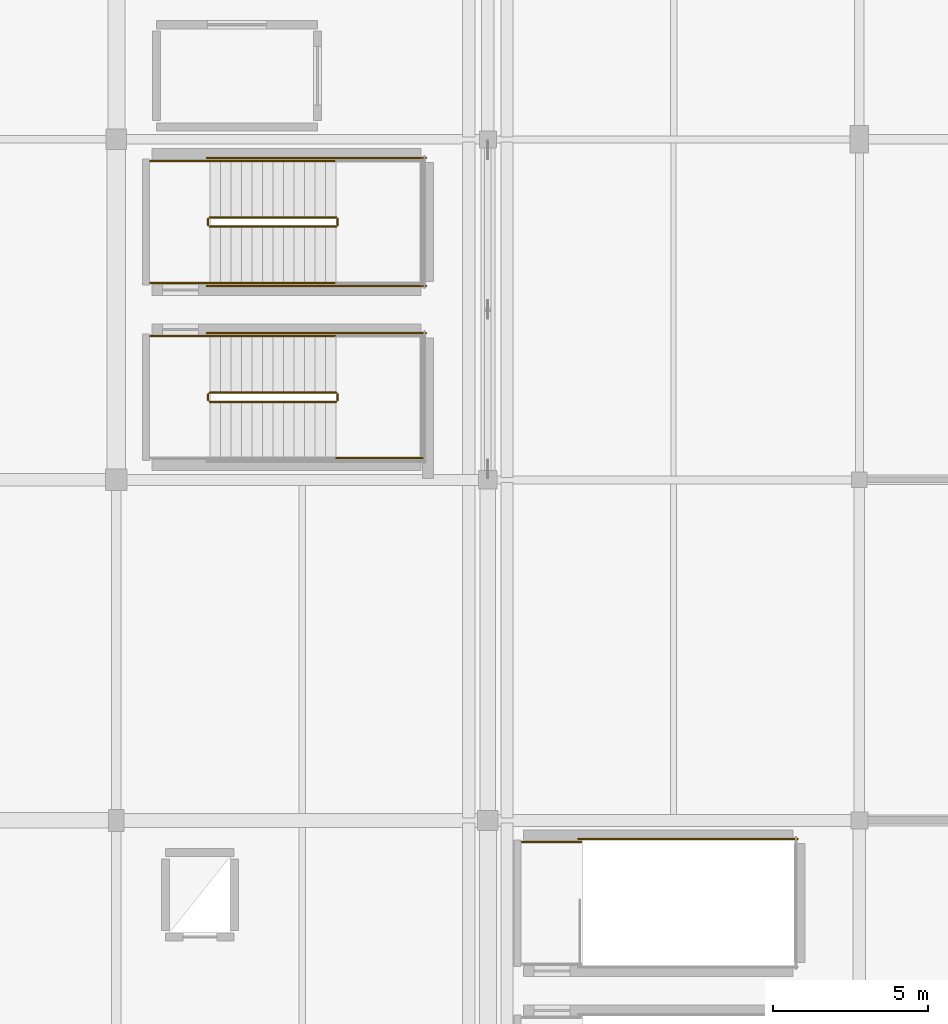
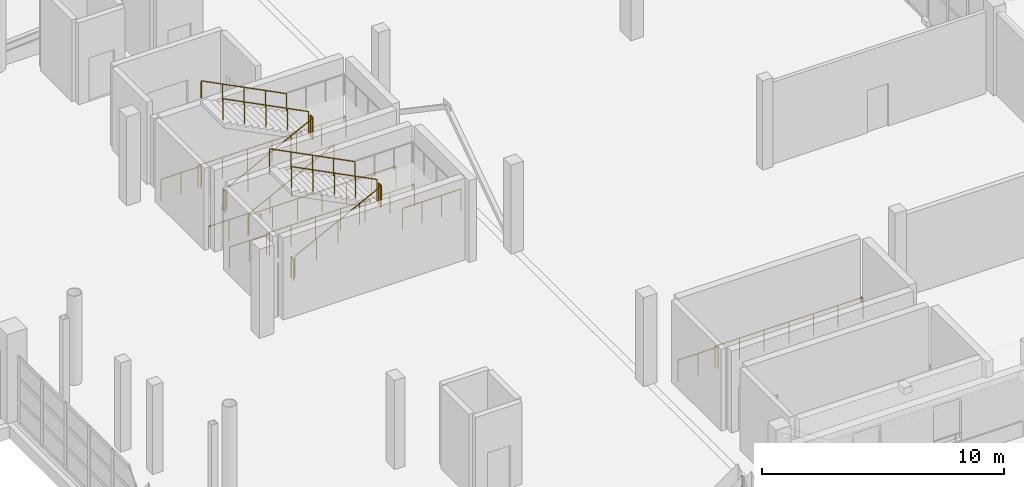
# One storey, part 117 of 118: 20 railings.
"""IFC4 building model written with IfcOpenShell, lengths in metres."""

from ifc_helpers import new_model, si_unit, direction, frame, origin, origin_2d, place, context, subcontext, project, spatial, circle, extrude, material, type_object, element, save


model = new_model("IFC4")

# Units and contexts
model_context = context("Model", 3, precision=1e-05, world=origin(), true_north=direction((0.0, 1.0)))
body_context = subcontext(model_context, "Body", "Model", "MODEL_VIEW")
ifc_project = project(units=[si_unit("LENGTHUNIT", "METRE"), si_unit("AREAUNIT", "SQUARE_METRE"), si_unit("VOLUMEUNIT", "CUBIC_METRE"), si_unit("PLANEANGLEUNIT", "RADIAN"), si_unit("MASSUNIT", "GRAM", prefix="KILO")], contexts=[model_context])

# Site, building, storey
site_placement = place(None, origin())
site = spatial("IfcSite", under=ifc_project, at=site_placement, CompositionType="ELEMENT")
building_placement = place(site_placement, origin())
building = spatial("IfcBuilding", under=site, at=building_placement, Name="Luwafu Chhajja Arena", CompositionType="ELEMENT")
storey_placement = place(building_placement, frame((0.0, 0.0, 10.199951171875)))
storey = spatial("IfcBuildingStorey", under=building, at=storey_placement, Name="L02", CompositionType="ELEMENT", Elevation=10.199951171875)

# Railings
ifc_material_1 = material(Name="Stainless steel handrail", Category="steel")
railing_type_1 = type_object("IfcRailingType", Name="Stair Pitch Wall Handrail 920", PredefinedType="HANDRAIL", material=ifc_material_1)
railing_1_placement = place(storey_placement, frame((159.10009765625, 81.639892578125, 2.423095703125)))
element("IfcRailing", 1, at=railing_1_placement, inside=storey, type_object=railing_type_1, Name="L02 ST-07 stair handrail 2", PredefinedType="HANDRAIL", context=body_context, shape_type="SweptSolid", body=[
    extrude(circle(Radius=0.02392578125, at=origin_2d()), frame((0.0, 0.0, 0.8759765625), z_axis=(-0.891183106714, 0.0, 0.453643770274), x_axis=(0.0, -1.0, 0.0)), (0.0, 0.0, 1.0), 4.578369140625),
    extrude(circle(Radius=0.02099609375, at=origin_2d()), origin(), (0.0, 0.0, 1.0), 0.851806640625),
    extrude(circle(Radius=0.02099609375, at=origin_2d()), frame((-1.02001953125, 0.0, 0.519287109375)), (0.0, 0.0, 1.0), 0.851806640625),
    extrude(circle(Radius=0.02099609375, at=origin_2d()), frame((-2.0400390625, 0.0, 1.03857421875)), (0.0, 0.0, 1.0), 0.851806640625),
    extrude(circle(Radius=0.02099609375, at=origin_2d()), frame((-3.06005859375, 0.0, 1.5576171875)), (0.0, 0.0, 1.0), 0.851806640625),
    extrude(circle(Radius=0.02099609375, at=origin_2d()), frame((-4.080078125, 0.0, 2.076904296875)), (0.0, 0.0, 1.0), 0.851806640625),
])
railing_2_placement = place(storey_placement, frame((155.02001953125, 83.360107421875, 0.173095703125)))
element("IfcRailing", 2, at=railing_2_placement, inside=storey, type_object=railing_type_1, Name="L02 ST-08 stair handrail 1", PredefinedType="HANDRAIL", context=body_context, shape_type="SweptSolid", body=[
    extrude(circle(Radius=0.02392578125, at=origin_2d()), frame((0.0, 0.0, 0.8759765625), z_axis=(0.891183106714, 0.0, 0.453643770274), x_axis=(0.0, 1.0, 0.0)), (0.0, 0.0, 1.0), 4.578369140625),
    extrude(circle(Radius=0.02099609375, at=origin_2d()), origin(), (0.0, 0.0, 1.0), 0.851806640625),
    extrude(circle(Radius=0.02099609375, at=origin_2d()), frame((1.02001953125, 0.0, 0.519287109375)), (0.0, 0.0, 1.0), 0.851806640625),
    extrude(circle(Radius=0.02099609375, at=origin_2d()), frame((2.0400390625, 0.0, 1.03857421875)), (0.0, 0.0, 1.0), 0.851806640625),
    extrude(circle(Radius=0.02099609375, at=origin_2d()), frame((3.06005859375, 0.0, 1.5576171875)), (0.0, 0.0, 1.0), 0.851806640625),
    extrude(circle(Radius=0.02099609375, at=origin_2d()), frame((4.080078125, 0.0, 2.076904296875)), (0.0, 0.0, 1.0), 0.851806640625),
])
railing_3_placement = place(storey_placement, frame((159.10009765625, 87.300048828125, 2.423095703125)))
element("IfcRailing", 3, at=railing_3_placement, inside=storey, type_object=railing_type_1, Name="L02 ST-08 stair handrail 2", PredefinedType="HANDRAIL", context=body_context, shape_type="SweptSolid", body=[
    extrude(circle(Radius=0.02392578125, at=origin_2d()), frame((0.0, 0.0, 0.8759765625), z_axis=(-0.891183106714, 0.0, 0.453643770274), x_axis=(0.0, -1.0, 0.0)), (0.0, 0.0, 1.0), 4.578369140625),
    extrude(circle(Radius=0.02099609375, at=origin_2d()), origin(), (0.0, 0.0, 1.0), 0.851806640625),
    extrude(circle(Radius=0.02099609375, at=origin_2d()), frame((-1.02001953125, 0.0, 0.519287109375)), (0.0, 0.0, 1.0), 0.851806640625),
    extrude(circle(Radius=0.02099609375, at=origin_2d()), frame((-2.0400390625, 0.0, 1.03857421875)), (0.0, 0.0, 1.0), 0.851806640625),
    extrude(circle(Radius=0.02099609375, at=origin_2d()), frame((-3.06005859375, 0.0, 1.5576171875)), (0.0, 0.0, 1.0), 0.851806640625),
    extrude(circle(Radius=0.02099609375, at=origin_2d()), frame((-4.080078125, 0.0, 2.076904296875)), (0.0, 0.0, 1.0), 0.851806640625),
])
ifc_material_2 = material(Name="Stainless steel balustrade", Category="steel")
railing_type_2 = type_object("IfcRailingType", Name="Stair and Terrace Guard Balustrade 1100", PredefinedType="BALUSTRADE", material=ifc_material_2)
railing_4_placement = place(storey_placement, frame((155.02001953125, 79.52001953125, 0.173095703125)))
element("IfcRailing", 4, at=railing_4_placement, inside=storey, type_object=railing_type_2, Name="L02 ST-07 stair guard 1", PredefinedType="BALUSTRADE", context=body_context, shape_type="SweptSolid", body=[
    extrude(circle(Radius=0.02392578125, at=origin_2d()), frame((0.0, 0.0, 1.076171875), z_axis=(0.891183106714, 0.0, 0.453643770274), x_axis=(0.0, 1.0, 0.0)), (0.0, 0.0, 1.0), 4.578369140625),
    extrude(circle(Radius=0.02099609375, at=origin_2d()), origin(), (0.0, 0.0, 1.0), 1.052001953125),
    extrude(circle(Radius=0.02099609375, at=origin_2d()), frame((1.02001953125, 0.0, 0.519287109375)), (0.0, 0.0, 1.0), 1.052001953125),
    extrude(circle(Radius=0.02099609375, at=origin_2d()), frame((2.0400390625, 0.0, 1.03857421875)), (0.0, 0.0, 1.0), 1.052001953125),
    extrude(circle(Radius=0.02099609375, at=origin_2d()), frame((3.06005859375, 0.0, 1.5576171875)), (0.0, 0.0, 1.0), 1.052001953125),
    extrude(circle(Radius=0.02099609375, at=origin_2d()), frame((4.080078125, 0.0, 2.076904296875)), (0.0, 0.0, 1.0), 1.052001953125),
])
railing_5_placement = place(storey_placement, frame((159.14990234375, 79.570068359375, 2.25)))
element("IfcRailing", 5, at=railing_5_placement, inside=storey, type_object=railing_type_2, Name="L02 ST-07 stair guard 2", PredefinedType="BALUSTRADE", context=body_context, shape_type="SweptSolid", body=[
    extrude(circle(Radius=0.02392578125, at=origin_2d()), frame((0.0, 0.0, 1.076171875), z_axis=(0.0, 1.0, 0.0), x_axis=(-1.0, 0.0, 0.0)), (0.0, 0.0, 1.0), 0.199951171875),
    extrude(circle(Radius=0.02099609375, at=origin_2d()), origin(), (0.0, 0.0, 1.0), 1.052001953125),
    extrude(circle(Radius=0.02099609375, at=origin_2d()), frame((0.0, 0.199951171875, 0.0)), (0.0, 0.0, 1.0), 1.052001953125),
])
railing_6_placement = place(storey_placement, frame((159.10009765625, 77.699951171875, 2.25)))
element("IfcRailing", 6, at=railing_6_placement, inside=storey, type_object=railing_type_2, Name="L02 ST-07 stair guard 3", PredefinedType="BALUSTRADE", context=body_context, shape_type="SweptSolid", body=[
    extrude(circle(Radius=0.02392578125, at=origin_2d()), frame((0.0, 0.0, 1.076171875), z_axis=(1.0, 0.0, 0.0), x_axis=(0.0, 1.0, 0.0)), (0.0, 0.0, 1.0), 2.7998046875),
    extrude(circle(Radius=0.02099609375, at=origin_2d()), origin(), (0.0, 0.0, 1.0), 1.052001953125),
    extrude(circle(Radius=0.02099609375, at=origin_2d()), frame((0.933349609375, 0.0, 0.0)), (0.0, 0.0, 1.0), 1.052001953125),
    extrude(circle(Radius=0.02099609375, at=origin_2d()), frame((1.866455078125, 0.0, 0.0)), (0.0, 0.0, 1.0), 1.052001953125),
    extrude(circle(Radius=0.02099609375, at=origin_2d()), frame((2.7998046875, 0.0, 0.0)), (0.0, 0.0, 1.0), 1.052001953125),
])
railing_7_placement = place(storey_placement, frame((159.10009765625, 79.820068359375, 2.423095703125)))
element("IfcRailing", 7, at=railing_7_placement, inside=storey, type_object=railing_type_2, Name="L02 ST-07 stair guard 6", PredefinedType="BALUSTRADE", context=body_context, shape_type="SweptSolid", body=[
    extrude(circle(Radius=0.02392578125, at=origin_2d()), frame((0.0, 0.0, 1.076171875), z_axis=(-0.891183106714, 0.0, 0.453643770274), x_axis=(0.0, -1.0, 0.0)), (0.0, 0.0, 1.0), 4.578369140625),
    extrude(circle(Radius=0.02099609375, at=origin_2d()), origin(), (0.0, 0.0, 1.0), 1.052001953125),
    extrude(circle(Radius=0.02099609375, at=origin_2d()), frame((-1.02001953125, 0.0, 0.519287109375)), (0.0, 0.0, 1.0), 1.052001953125),
    extrude(circle(Radius=0.02099609375, at=origin_2d()), frame((-2.0400390625, 0.0, 1.03857421875)), (0.0, 0.0, 1.0), 1.052001953125),
    extrude(circle(Radius=0.02099609375, at=origin_2d()), frame((-3.06005859375, 0.0, 1.5576171875)), (0.0, 0.0, 1.0), 1.052001953125),
    extrude(circle(Radius=0.02099609375, at=origin_2d()), frame((-4.080078125, 0.0, 2.076904296875)), (0.0, 0.0, 1.0), 1.052001953125),
])
railing_8_placement = place(storey_placement, frame((154.969970703125, 79.570068359375, 0.0)))
element("IfcRailing", 8, at=railing_8_placement, inside=storey, type_object=railing_type_2, Name="L02 ST-07 stair guard 7", PredefinedType="BALUSTRADE", context=body_context, shape_type="SweptSolid", body=[
    extrude(circle(Radius=0.02392578125, at=origin_2d()), frame((0.0, 0.0, 1.076171875), z_axis=(0.0, 1.0, 0.0), x_axis=(-1.0, 0.0, 0.0)), (0.0, 0.0, 1.0), 0.199951171875),
    extrude(circle(Radius=0.02099609375, at=origin_2d()), origin(), (0.0, 0.0, 1.0), 1.052001953125),
    extrude(circle(Radius=0.02099609375, at=origin_2d()), frame((0.0, 0.199951171875, 0.0)), (0.0, 0.0, 1.0), 1.052001953125),
])
railing_9_placement = place(storey_placement, frame((153.10009765625, 81.639892578125, 0.0)))
element("IfcRailing", 9, at=railing_9_placement, inside=storey, type_object=railing_type_2, Name="L02 ST-07 stair guard 9", PredefinedType="BALUSTRADE", context=body_context, shape_type="SweptSolid", body=[
    extrude(circle(Radius=0.02392578125, at=origin_2d()), frame((0.0, 0.0, 1.076171875), z_axis=(1.0, 0.0, 0.0), x_axis=(0.0, 1.0, 0.0)), (0.0, 0.0, 1.0), 1.919921875),
    extrude(circle(Radius=0.02099609375, at=origin_2d()), origin(), (0.0, 0.0, 1.0), 1.052001953125),
    extrude(circle(Radius=0.02099609375, at=origin_2d()), frame((0.9599609375, 0.0, 0.0)), (0.0, 0.0, 1.0), 1.052001953125),
    extrude(circle(Radius=0.02099609375, at=origin_2d()), frame((1.919921875, 0.0, 0.0)), (0.0, 0.0, 1.0), 1.052001953125),
])
railing_10_placement = place(storey_placement, frame((154.919921875, 81.739990234375, 0.0)))
element("IfcRailing", 10, at=railing_10_placement, inside=storey, type_object=railing_type_2, Name="L02 ST-07 stair guard 11", PredefinedType="BALUSTRADE", context=body_context, shape_type="SweptSolid", body=[
    extrude(circle(Radius=0.02392578125, at=origin_2d()), frame((0.0, 0.0, 1.076171875), z_axis=(1.0, 0.0, 0.0), x_axis=(0.0, 1.0, 0.0)), (0.0, 0.0, 1.0), 7.080078125),
    extrude(circle(Radius=0.02099609375, at=origin_2d()), origin(), (0.0, 0.0, 1.0), 1.052001953125),
    extrude(circle(Radius=0.02099609375, at=origin_2d()), frame((1.179931640625, 0.0, 0.0)), (0.0, 0.0, 1.0), 1.052001953125),
    extrude(circle(Radius=0.02099609375, at=origin_2d()), frame((2.360107421875, 0.0, 0.0)), (0.0, 0.0, 1.0), 1.052001953125),
    extrude(circle(Radius=0.02099609375, at=origin_2d()), frame((3.5400390625, 0.0, 0.0)), (0.0, 0.0, 1.0), 1.052001953125),
    extrude(circle(Radius=0.02099609375, at=origin_2d()), frame((4.719970703125, 0.0, 0.0)), (0.0, 0.0, 1.0), 1.052001953125),
    extrude(circle(Radius=0.02099609375, at=origin_2d()), frame((5.900146484375, 0.0, 0.0)), (0.0, 0.0, 1.0), 1.052001953125),
    extrude(circle(Radius=0.02099609375, at=origin_2d()), frame((7.080078125, 0.0, 0.0)), (0.0, 0.0, 1.0), 1.052001953125),
])
railing_11_placement = place(storey_placement, frame((155.02001953125, 85.179931640625, 0.173095703125)))
element("IfcRailing", 11, at=railing_11_placement, inside=storey, type_object=railing_type_2, Name="L02 ST-08 stair guard 1", PredefinedType="BALUSTRADE", context=body_context, shape_type="SweptSolid", body=[
    extrude(circle(Radius=0.02392578125, at=origin_2d()), frame((0.0, 0.0, 1.076171875), z_axis=(0.891183106714, 0.0, 0.453643770274), x_axis=(0.0, 1.0, 0.0)), (0.0, 0.0, 1.0), 4.578369140625),
    extrude(circle(Radius=0.02099609375, at=origin_2d()), origin(), (0.0, 0.0, 1.0), 1.052001953125),
    extrude(circle(Radius=0.02099609375, at=origin_2d()), frame((1.02001953125, 0.0, 0.519287109375)), (0.0, 0.0, 1.0), 1.052001953125),
    extrude(circle(Radius=0.02099609375, at=origin_2d()), frame((2.0400390625, 0.0, 1.03857421875)), (0.0, 0.0, 1.0), 1.052001953125),
    extrude(circle(Radius=0.02099609375, at=origin_2d()), frame((3.06005859375, 0.0, 1.5576171875)), (0.0, 0.0, 1.0), 1.052001953125),
    extrude(circle(Radius=0.02099609375, at=origin_2d()), frame((4.080078125, 0.0, 2.076904296875)), (0.0, 0.0, 1.0), 1.052001953125),
])
railing_12_placement = place(storey_placement, frame((159.14990234375, 85.22998046875, 2.25)))
element("IfcRailing", 12, at=railing_12_placement, inside=storey, type_object=railing_type_2, Name="L02 ST-08 stair guard 2", PredefinedType="BALUSTRADE", context=body_context, shape_type="SweptSolid", body=[
    extrude(circle(Radius=0.02392578125, at=origin_2d()), frame((0.0, 0.0, 1.076171875), z_axis=(0.0, 1.0, 0.0), x_axis=(-1.0, 0.0, 0.0)), (0.0, 0.0, 1.0), 0.199951171875),
    extrude(circle(Radius=0.02099609375, at=origin_2d()), origin(), (0.0, 0.0, 1.0), 1.052001953125),
    extrude(circle(Radius=0.02099609375, at=origin_2d()), frame((0.0, 0.199951171875, 0.0)), (0.0, 0.0, 1.0), 1.052001953125),
])
railing_13_placement = place(storey_placement, frame((159.10009765625, 85.47998046875, 2.423095703125)))
element("IfcRailing", 13, at=railing_13_placement, inside=storey, type_object=railing_type_2, Name="L02 ST-08 stair guard 6", PredefinedType="BALUSTRADE", context=body_context, shape_type="SweptSolid", body=[
    extrude(circle(Radius=0.02392578125, at=origin_2d()), frame((0.0, 0.0, 1.076171875), z_axis=(-0.891183106714, 0.0, 0.453643770274), x_axis=(0.0, -1.0, 0.0)), (0.0, 0.0, 1.0), 4.578369140625),
    extrude(circle(Radius=0.02099609375, at=origin_2d()), origin(), (0.0, 0.0, 1.0), 1.052001953125),
    extrude(circle(Radius=0.02099609375, at=origin_2d()), frame((-1.02001953125, 0.0, 0.519287109375)), (0.0, 0.0, 1.0), 1.052001953125),
    extrude(circle(Radius=0.02099609375, at=origin_2d()), frame((-2.0400390625, 0.0, 1.03857421875)), (0.0, 0.0, 1.0), 1.052001953125),
    extrude(circle(Radius=0.02099609375, at=origin_2d()), frame((-3.06005859375, 0.0, 1.5576171875)), (0.0, 0.0, 1.0), 1.052001953125),
    extrude(circle(Radius=0.02099609375, at=origin_2d()), frame((-4.080078125, 0.0, 2.076904296875)), (0.0, 0.0, 1.0), 1.052001953125),
])
railing_14_placement = place(storey_placement, frame((154.969970703125, 85.22998046875, 0.0)))
element("IfcRailing", 14, at=railing_14_placement, inside=storey, type_object=railing_type_2, Name="L02 ST-08 stair guard 7", PredefinedType="BALUSTRADE", context=body_context, shape_type="SweptSolid", body=[
    extrude(circle(Radius=0.02392578125, at=origin_2d()), frame((0.0, 0.0, 1.076171875), z_axis=(0.0, 1.0, 0.0), x_axis=(-1.0, 0.0, 0.0)), (0.0, 0.0, 1.0), 0.199951171875),
    extrude(circle(Radius=0.02099609375, at=origin_2d()), origin(), (0.0, 0.0, 1.0), 1.052001953125),
    extrude(circle(Radius=0.02099609375, at=origin_2d()), frame((0.0, 0.199951171875, 0.0)), (0.0, 0.0, 1.0), 1.052001953125),
])
for number, where, name in (
    (15, (153.10009765625, 83.360107421875, 0.0), "L02 ST-08 stair guard 8"),
    (16, (153.10009765625, 87.300048828125, 0.0), "L02 ST-08 stair guard 9"),
):
    element("IfcRailing", number, at=place(storey_placement, frame(where)), inside=storey, type_object=railing_type_2, Name=name, PredefinedType="BALUSTRADE", context=body_context, shape_type="SweptSolid", body=[
        extrude(circle(Radius=0.02392578125, at=origin_2d()), frame((0.0, 0.0, 1.076171875), z_axis=(1.0, 0.0, 0.0), x_axis=(0.0, 1.0, 0.0)), (0.0, 0.0, 1.0), 1.919921875),
        extrude(circle(Radius=0.02099609375, at=origin_2d()), origin(), (0.0, 0.0, 1.0), 1.052001953125),
        extrude(circle(Radius=0.02099609375, at=origin_2d()), frame((0.9599609375, 0.0, 0.0)), (0.0, 0.0, 1.0), 1.052001953125),
        extrude(circle(Radius=0.02099609375, at=origin_2d()), frame((1.919921875, 0.0, 0.0)), (0.0, 0.0, 1.0), 1.052001953125),
    ])
for number, where, name in (
    (17, (154.919921875, 83.260009765625, 0.0), "L02 ST-08 stair guard 10"),
    (18, (154.919921875, 87.39990234375, 0.0), "L02 ST-08 stair guard 11"),
    (19, (166.919921875, 65.39990234375, 0.0), "L02 ST-20 top well guard 3"),
):
    element("IfcRailing", number, at=place(storey_placement, frame(where)), inside=storey, type_object=railing_type_2, Name=name, PredefinedType="BALUSTRADE", context=body_context, shape_type="SweptSolid", body=[
        extrude(circle(Radius=0.02392578125, at=origin_2d()), frame((0.0, 0.0, 1.076171875), z_axis=(1.0, 0.0, 0.0), x_axis=(0.0, 1.0, 0.0)), (0.0, 0.0, 1.0), 7.080078125),
        extrude(circle(Radius=0.02099609375, at=origin_2d()), origin(), (0.0, 0.0, 1.0), 1.052001953125),
        extrude(circle(Radius=0.02099609375, at=origin_2d()), frame((1.179931640625, 0.0, 0.0)), (0.0, 0.0, 1.0), 1.052001953125),
        extrude(circle(Radius=0.02099609375, at=origin_2d()), frame((2.360107421875, 0.0, 0.0)), (0.0, 0.0, 1.0), 1.052001953125),
        extrude(circle(Radius=0.02099609375, at=origin_2d()), frame((3.5400390625, 0.0, 0.0)), (0.0, 0.0, 1.0), 1.052001953125),
        extrude(circle(Radius=0.02099609375, at=origin_2d()), frame((4.719970703125, 0.0, 0.0)), (0.0, 0.0, 1.0), 1.052001953125),
        extrude(circle(Radius=0.02099609375, at=origin_2d()), frame((5.900146484375, 0.0, 0.0)), (0.0, 0.0, 1.0), 1.052001953125),
        extrude(circle(Radius=0.02099609375, at=origin_2d()), frame((7.080078125, 0.0, 0.0)), (0.0, 0.0, 1.0), 1.052001953125),
    ])
railing_15_placement = place(storey_placement, frame((165.10009765625, 65.300048828125, 0.0)))
element("IfcRailing", 20, at=railing_15_placement, inside=storey, type_object=railing_type_2, Name="L02 ST-20 top well guard 6", PredefinedType="BALUSTRADE", context=body_context, shape_type="SweptSolid", body=[
    extrude(circle(Radius=0.02392578125, at=origin_2d()), frame((0.0, 0.0, 1.076171875), z_axis=(1.0, 0.0, 0.0), x_axis=(0.0, 1.0, 0.0)), (0.0, 0.0, 1.0), 1.919921875),
    extrude(circle(Radius=0.02099609375, at=origin_2d()), origin(), (0.0, 0.0, 1.0), 1.052001953125),
    extrude(circle(Radius=0.02099609375, at=origin_2d()), frame((0.9599609375, 0.0, 0.0)), (0.0, 0.0, 1.0), 1.052001953125),
    extrude(circle(Radius=0.02099609375, at=origin_2d()), frame((1.919921875, 0.0, 0.0)), (0.0, 0.0, 1.0), 1.052001953125),
])

save(model, "model.ifc")
